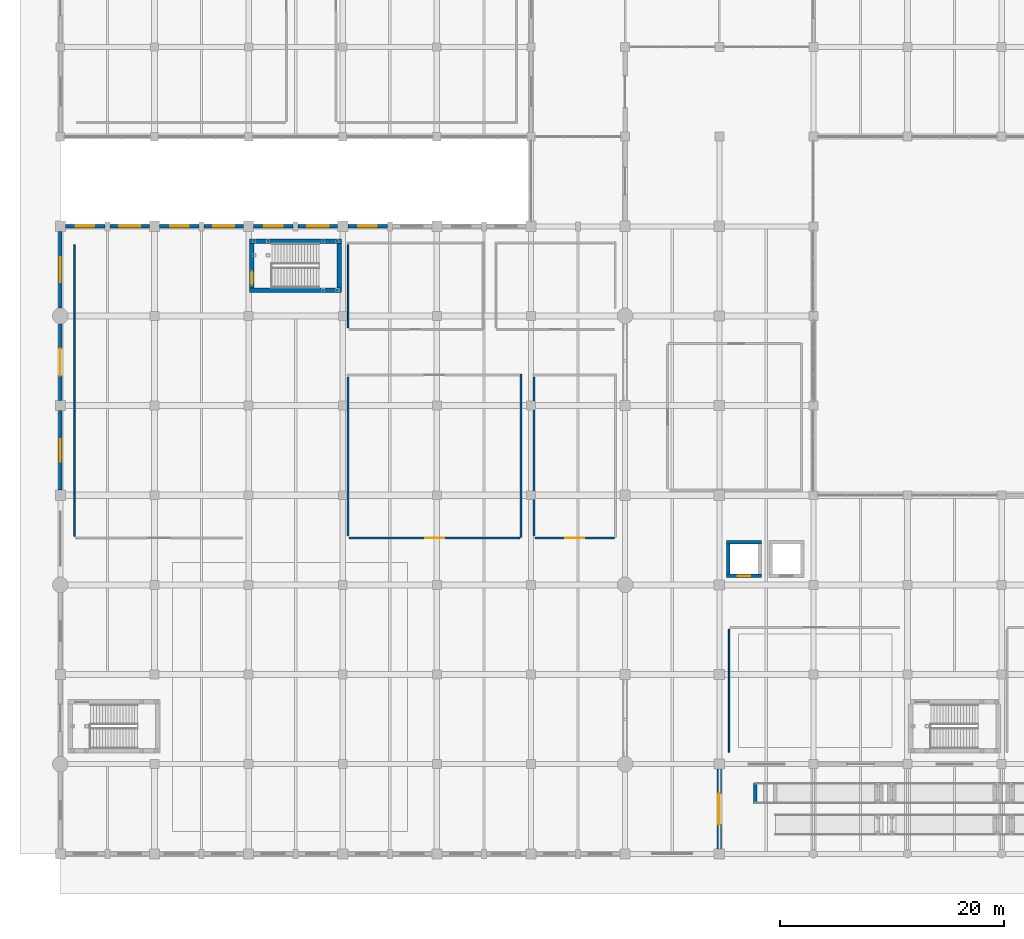
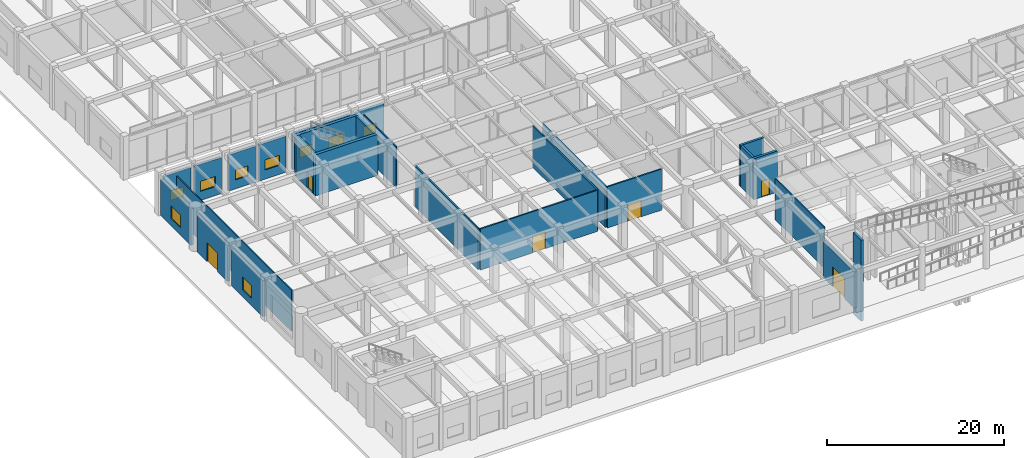
# One storey, part 50 of 76: 27 walls, 9 windows, 6 doors, 15 openings.
"""IFC4 building model written with IfcOpenShell, lengths in metres."""

from ifc_helpers import new_model, si_unit, direction, frame, frame_2d, origin, place, context, subcontext, project, spatial, rectangle, extrude, material, layer, layer_set, type_object, element, fill, save


model = new_model("IFC4")

# Units and contexts
model_context = context("Model", 3, precision=1e-05, world=origin(), true_north=direction((0.0, 1.0)))
body_context = subcontext(model_context, "Body", "Model", "MODEL_VIEW")
ifc_project = project(units=[si_unit("LENGTHUNIT", "METRE"), si_unit("AREAUNIT", "SQUARE_METRE"), si_unit("VOLUMEUNIT", "CUBIC_METRE"), si_unit("PLANEANGLEUNIT", "RADIAN"), si_unit("MASSUNIT", "GRAM", prefix="KILO")], contexts=[model_context])

# Site, building, storey
site_placement = place(None, origin())
site = spatial("IfcSite", under=ifc_project, at=site_placement, CompositionType="ELEMENT")
building_placement = place(site_placement, origin())
building = spatial("IfcBuilding", under=site, at=building_placement, Name="Naruveol Harbour Congress Hotel", CompositionType="ELEMENT")
storey_placement = place(building_placement, origin())
storey = spatial("IfcBuildingStorey", under=building, at=storey_placement, Name="L00", CompositionType="ELEMENT", Elevation=0.0)

# Wall, opening, window
ifc_material_1 = material(Name="Concrete C40/50", Category="concrete")
ifc_layer_1 = layer(ifc_material_1, 0.340087890625)
ifc_layer_set_1 = layer_set([ifc_layer_1], Name="Concrete C40/50")
wall_type_1 = type_object("IfcWallType", Name="ACOUSTIC CONGRESS ENVELOPE WALL 340", PredefinedType="SOLIDWALL", material=ifc_layer_set_1)
wall_1_placement = place(storey_placement, frame((0.0, 32.449951171875, 0.0), z_axis=(0.0, 0.0, 1.0), x_axis=(0.0, 1.0, 0.0)))
wall_1 = element("IfcWall", 1, at=wall_1_placement, inside=storey, type_object=wall_type_1, Name="Congress west quay facade EW-340", PredefinedType="SOLIDWALL", context=body_context, shape_type="SweptSolid", body=[
    extrude(rectangle(XDim=7.10009765625, YDim=0.340087890625, at=frame_2d((3.550048828125, 0.0))), origin(), (0.0, 0.0, 1.0), 5.0),
])
opening_1_placement = place(wall_1_placement, frame((2.550048828125, 0.0, 1.0)))
opening_1 = element("IfcOpeningElement", 2, at=opening_1_placement, cuts=wall_1, Name="Opening W-05", PredefinedType="OPENING", context=body_context, shape_type="SweptSolid", body=[
    extrude(rectangle(XDim=2.0, YDim=1.75, at=frame_2d((1.0, 0.875))), frame((0.0, 0.179931640625, 0.0), z_axis=(0.0, -1.0, 0.0), x_axis=(1.0, 0.0, 0.0)), (0.0, 0.0, 1.0), 0.360107421875),
])
ifc_material_2 = material(Name="Low-E Triple Glazing in Thermal Aluminium", Category="aluminium")
window_type_1 = type_object("IfcWindowType", Name="GARDEN SUITE WINDOW 2000X1750", PartitioningType="DOUBLE_PANEL_VERTICAL", PredefinedType="WINDOW", material=ifc_material_2)
window_1_placement = place(opening_1_placement, origin())
window_1 = element("IfcWindow", 3, at=window_1_placement, inside=storey, type_object=window_type_1, Name="Window W-05 #15", OverallHeight=1.75, OverallWidth=2.0, PartitioningType="DOUBLE_PANEL_VERTICAL", PredefinedType="WINDOW", context=body_context, shape_type="SweptSolid", body=[
    extrude(rectangle(XDim=2.0, YDim=1.75, at=frame_2d((1.0, 0.875))), frame((0.0, 0.030029296875, 0.0), z_axis=(0.0, -1.0, 0.0), x_axis=(1.0, 0.0, 0.0)), (0.0, 0.0, 1.0), 0.06005859375),
])
fill(opening_1, window_1)

# Wall, opening, door
wall_2_placement = place(storey_placement, frame((0.0, 40.449951171875, 0.0), z_axis=(0.0, 0.0, 1.0), x_axis=(0.0, 1.0, 0.0)))
wall_2 = element("IfcWall", 4, at=wall_2_placement, inside=storey, type_object=wall_type_1, Name="Congress west quay facade EW-340", PredefinedType="SOLIDWALL", context=body_context, shape_type="SweptSolid", body=[
    extrude(rectangle(XDim=6.85009765625, YDim=0.340087890625, at=frame_2d((3.425048828125, 0.0))), origin(), (0.0, 0.0, 1.0), 5.0),
])
opening_2_placement = place(wall_2_placement, frame((2.22509765625, 0.0, 0.0)))
opening_2 = element("IfcOpeningElement", 5, at=opening_2_placement, cuts=wall_2, Name="Opening E4", PredefinedType="OPENING", context=body_context, shape_type="SweptSolid", body=[
    extrude(rectangle(XDim=2.39990234375, YDim=2.60009765625, at=frame_2d((1.199951171875, 1.300048828125))), frame((0.0, 0.179931640625, 0.0), z_axis=(0.0, -1.0, 0.0), x_axis=(1.0, 0.0, 0.0)), (0.0, 0.0, 1.0), 0.360107421875),
])
ifc_material_3 = material(Name="Powder-Coated Steel & Insulated Glazing", Category="steel")
door_type_1 = type_object("IfcDoorType", Name="FINAL EXIT DOUBLE DOOR 2400X2600", OperationType="DOUBLE_DOOR_SINGLE_SWING", PredefinedType="DOOR", material=ifc_material_3)
door_1_placement = place(opening_2_placement, origin())
door_1 = element("IfcDoor", 6, at=door_1_placement, inside=storey, type_object=door_type_1, Name="Final Exit Door E4", OperationType="DOUBLE_DOOR_SINGLE_SWING", OverallHeight=2.60009765625, OverallWidth=2.39990234375, PredefinedType="DOOR", context=body_context, shape_type="SweptSolid", body=[
    extrude(rectangle(XDim=2.39990234375, YDim=2.60009765625, at=frame_2d((1.199951171875, 1.300048828125))), frame((0.0, 0.02490234375, 0.0), z_axis=(0.0, -1.0, 0.0), x_axis=(1.0, 0.0, 0.0)), (0.0, 0.0, 1.0), 0.050048828125),
])
fill(opening_2, door_1)

# Wall, opening, window
wall_3_placement = place(storey_placement, frame((0.0, 48.699951171875, 0.0), z_axis=(0.0, 0.0, 1.0), x_axis=(0.0, 1.0, 0.0)))
wall_3 = element("IfcWall", 7, at=wall_3_placement, inside=storey, type_object=wall_type_1, Name="Congress west quay facade EW-340", PredefinedType="SOLIDWALL", context=body_context, shape_type="SweptSolid", body=[
    extrude(rectangle(XDim=6.85009765625, YDim=0.340087890625, at=frame_2d((3.425048828125, 0.0))), origin(), (0.0, 0.0, 1.0), 5.0),
])
opening_3_placement = place(wall_3_placement, frame((2.324951171875, 0.0, 1.0)))
opening_3 = element("IfcOpeningElement", 8, at=opening_3_placement, cuts=wall_3, Name="Opening W-06", PredefinedType="OPENING", context=body_context, shape_type="SweptSolid", body=[
    extrude(rectangle(XDim=2.199951171875, YDim=1.75, at=frame_2d((1.10009765625, 0.875))), frame((0.0, 0.179931640625, 0.0), z_axis=(0.0, -1.0, 0.0), x_axis=(1.0, 0.0, 0.0)), (0.0, 0.0, 1.0), 0.360107421875),
])
ifc_material_4 = material(Name="Low-E Triple Glazing in Thermal Aluminium", Category="aluminium")
window_type_2 = type_object("IfcWindowType", Name="HARBOUR SUITE WINDOW 2200X1750", PartitioningType="DOUBLE_PANEL_VERTICAL", PredefinedType="WINDOW", material=ifc_material_4)
window_2_placement = place(opening_3_placement, origin())
window_2 = element("IfcWindow", 9, at=window_2_placement, inside=storey, type_object=window_type_2, Name="Window W-06 #16", OverallHeight=1.75, OverallWidth=2.199951171875, PartitioningType="DOUBLE_PANEL_VERTICAL", PredefinedType="WINDOW", context=body_context, shape_type="SweptSolid", body=[
    extrude(rectangle(XDim=2.199951171875, YDim=1.75, at=frame_2d((1.10009765625, 0.875))), frame((0.0, 0.030029296875, 0.0), z_axis=(0.0, -1.0, 0.0), x_axis=(1.0, 0.0, 0.0)), (0.0, 0.0, 1.0), 0.06005859375),
])
fill(opening_3, window_2)

wall_4_placement = place(storey_placement, frame((0.449951171875, 56.0, 0.0), z_axis=(0.0, 0.0, 1.0), x_axis=(1.0, 0.0, 0.0)))
wall_4 = element("IfcWall", 10, at=wall_4_placement, inside=storey, type_object=wall_type_1, Name="Congress north facade EW-340", PredefinedType="SOLIDWALL", context=body_context, shape_type="SweptSolid", body=[
    extrude(rectangle(XDim=3.525146484375, YDim=0.340087890625, at=frame_2d((1.7626953125, 0.0))), origin(), (0.0, 0.0, 1.0), 4.97998046875),
])
opening_4_placement = place(wall_4_placement, frame((0.93798828125, 0.0, 1.25)))
opening_4 = element("IfcOpeningElement", 11, at=opening_4_placement, cuts=wall_4, Name="Opening W-34", PredefinedType="OPENING", context=body_context, shape_type="SweptSolid", body=[
    extrude(rectangle(XDim=1.64990234375, YDim=1.35009765625, at=frame_2d((0.824951171875, 0.675048828125))), frame((0.0, 0.179931640625, 0.0), z_axis=(0.0, -1.0, 0.0), x_axis=(1.0, 0.0, 0.0)), (0.0, 0.0, 1.0), 0.360107421875),
])
ifc_material_5 = material(Name="Low-E Triple Glazing in Thermal Aluminium", Category="aluminium")
window_type_3 = type_object("IfcWindowType", Name="CONCOURSE NORTH BAY WINDOW 1650X1350", PartitioningType="SINGLE_PANEL", PredefinedType="WINDOW", material=ifc_material_5)
window_3_placement = place(opening_4_placement, origin())
window_3 = element("IfcWindow", 12, at=window_3_placement, inside=storey, type_object=window_type_3, Name="Window W-34 #17", OverallHeight=1.35009765625, OverallWidth=1.64990234375, PartitioningType="SINGLE_PANEL", PredefinedType="WINDOW", context=body_context, shape_type="SweptSolid", body=[
    extrude(rectangle(XDim=1.64990234375, YDim=1.35009765625, at=frame_2d((0.824951171875, 0.675048828125))), frame((0.0, 0.030029296875, 0.0), z_axis=(0.0, -1.0, 0.0), x_axis=(1.0, 0.0, 0.0)), (0.0, 0.0, 1.0), 0.06005859375),
])
fill(opening_4, window_3)

wall_5_placement = place(storey_placement, frame((4.425048828125, 56.0, 0.0), z_axis=(0.0, 0.0, 1.0), x_axis=(1.0, 0.0, 0.0)))
wall_5 = element("IfcWall", 13, at=wall_5_placement, inside=storey, type_object=wall_type_1, Name="Congress north facade EW-340", PredefinedType="SOLIDWALL", context=body_context, shape_type="SweptSolid", body=[
    extrude(rectangle(XDim=3.52490234375, YDim=0.340087890625, at=frame_2d((1.762451171875, 0.0))), origin(), (0.0, 0.0, 1.0), 4.97998046875),
])
opening_5_placement = place(wall_5_placement, frame((0.81298828125, 0.0, 1.25)))
opening_5 = element("IfcOpeningElement", 14, at=opening_5_placement, cuts=wall_5, Name="Opening W-20", PredefinedType="OPENING", context=body_context, shape_type="SweptSolid", body=[
    extrude(rectangle(XDim=1.89990234375, YDim=1.39990234375, at=frame_2d((0.949951171875, 0.699951171875))), frame((0.0, 0.179931640625, 0.0), z_axis=(0.0, -1.0, 0.0), x_axis=(1.0, 0.0, 0.0)), (0.0, 0.0, 1.0), 0.360107421875),
])
ifc_material_6 = material(Name="Low-E Triple Glazing in Thermal Aluminium", Category="aluminium")
window_type_4 = type_object("IfcWindowType", Name="PRESS BRIEFING WINDOW 1900X1400", PartitioningType="DOUBLE_PANEL_VERTICAL", PredefinedType="WINDOW", material=ifc_material_6)
window_4_placement = place(opening_5_placement, origin())
window_4 = element("IfcWindow", 15, at=window_4_placement, inside=storey, type_object=window_type_4, Name="Window W-20 #18", OverallHeight=1.39990234375, OverallWidth=1.89990234375, PartitioningType="DOUBLE_PANEL_VERTICAL", PredefinedType="WINDOW", context=body_context, shape_type="SweptSolid", body=[
    extrude(rectangle(XDim=1.89990234375, YDim=1.39990234375, at=frame_2d((0.949951171875, 0.699951171875))), frame((0.0, 0.030029296875, 0.0), z_axis=(0.0, -1.0, 0.0), x_axis=(1.0, 0.0, 0.0)), (0.0, 0.0, 1.0), 0.06005859375),
])
fill(opening_5, window_4)

wall_6_placement = place(storey_placement, frame((8.85009765625, 56.0, 0.0), z_axis=(0.0, 0.0, 1.0), x_axis=(1.0, 0.0, 0.0)))
wall_6 = element("IfcWall", 16, at=wall_6_placement, inside=storey, type_object=wall_type_1, Name="Congress north facade EW-340", PredefinedType="SOLIDWALL", context=body_context, shape_type="SweptSolid", body=[
    extrude(rectangle(XDim=3.52490234375, YDim=0.340087890625, at=frame_2d((1.762451171875, 0.0))), origin(), (0.0, 0.0, 1.0), 4.97998046875),
])
opening_6_placement = place(wall_6_placement, frame((0.93798828125, 0.0, 1.25)))
opening_6 = element("IfcOpeningElement", 17, at=opening_6_placement, cuts=wall_6, Name="Opening W-34", PredefinedType="OPENING", context=body_context, shape_type="SweptSolid", body=[
    extrude(rectangle(XDim=1.64990234375, YDim=1.35009765625, at=frame_2d((0.824951171875, 0.675048828125))), frame((0.0, 0.179931640625, 0.0), z_axis=(0.0, -1.0, 0.0), x_axis=(1.0, 0.0, 0.0)), (0.0, 0.0, 1.0), 0.360107421875),
])
window_5_placement = place(opening_6_placement, origin())
window_5 = element("IfcWindow", 18, at=window_5_placement, inside=storey, type_object=window_type_3, Name="Window W-34 #19", OverallHeight=1.35009765625, OverallWidth=1.64990234375, PartitioningType="SINGLE_PANEL", PredefinedType="WINDOW", context=body_context, shape_type="SweptSolid", body=[
    extrude(rectangle(XDim=1.64990234375, YDim=1.35009765625, at=frame_2d((0.824951171875, 0.675048828125))), frame((0.0, 0.030029296875, 0.0), z_axis=(0.0, -1.0, 0.0), x_axis=(1.0, 0.0, 0.0)), (0.0, 0.0, 1.0), 0.06005859375),
])
fill(opening_6, window_5)

wall_7_placement = place(storey_placement, frame((12.824951171875, 56.0, 0.0), z_axis=(0.0, 0.0, 1.0), x_axis=(1.0, 0.0, 0.0)))
wall_7 = element("IfcWall", 19, at=wall_7_placement, inside=storey, type_object=wall_type_1, Name="Congress north facade EW-340", PredefinedType="SOLIDWALL", context=body_context, shape_type="SweptSolid", body=[
    extrude(rectangle(XDim=3.525146484375, YDim=0.340087890625, at=frame_2d((1.7626953125, 0.0))), origin(), (0.0, 0.0, 1.0), 4.97998046875),
])
opening_7_placement = place(wall_7_placement, frame((0.81298828125, 0.0, 1.25)))
opening_7 = element("IfcOpeningElement", 20, at=opening_7_placement, cuts=wall_7, Name="Opening W-20", PredefinedType="OPENING", context=body_context, shape_type="SweptSolid", body=[
    extrude(rectangle(XDim=1.89990234375, YDim=1.39990234375, at=frame_2d((0.949951171875, 0.699951171875))), frame((0.0, 0.179931640625, 0.0), z_axis=(0.0, -1.0, 0.0), x_axis=(1.0, 0.0, 0.0)), (0.0, 0.0, 1.0), 0.360107421875),
])
window_6_placement = place(opening_7_placement, origin())
window_6 = element("IfcWindow", 21, at=window_6_placement, inside=storey, type_object=window_type_4, Name="Window W-20 #20", OverallHeight=1.39990234375, OverallWidth=1.89990234375, PartitioningType="DOUBLE_PANEL_VERTICAL", PredefinedType="WINDOW", context=body_context, shape_type="SweptSolid", body=[
    extrude(rectangle(XDim=1.89990234375, YDim=1.39990234375, at=frame_2d((0.949951171875, 0.699951171875))), frame((0.0, 0.030029296875, 0.0), z_axis=(0.0, -1.0, 0.0), x_axis=(1.0, 0.0, 0.0)), (0.0, 0.0, 1.0), 0.06005859375),
])
fill(opening_7, window_6)

wall_8_placement = place(storey_placement, frame((17.25, 56.0, 0.0), z_axis=(0.0, 0.0, 1.0), x_axis=(1.0, 0.0, 0.0)))
wall_8 = element("IfcWall", 22, at=wall_8_placement, inside=storey, type_object=wall_type_1, Name="Congress north facade EW-340", PredefinedType="SOLIDWALL", context=body_context, shape_type="SweptSolid", body=[
    extrude(rectangle(XDim=3.52490234375, YDim=0.340087890625, at=frame_2d((1.762451171875, 0.0))), origin(), (0.0, 0.0, 1.0), 4.97998046875),
])
opening_8_placement = place(wall_8_placement, frame((0.93701171875, 0.0, 1.25)))
opening_8 = element("IfcOpeningElement", 23, at=opening_8_placement, cuts=wall_8, Name="Opening W-34", PredefinedType="OPENING", context=body_context, shape_type="SweptSolid", body=[
    extrude(rectangle(XDim=1.64990234375, YDim=1.35009765625, at=frame_2d((0.824951171875, 0.675048828125))), frame((0.0, 0.179931640625, 0.0), z_axis=(0.0, -1.0, 0.0), x_axis=(1.0, 0.0, 0.0)), (0.0, 0.0, 1.0), 0.360107421875),
])
window_7_placement = place(opening_8_placement, origin())
window_7 = element("IfcWindow", 24, at=window_7_placement, inside=storey, type_object=window_type_3, Name="Window W-34 #21", OverallHeight=1.35009765625, OverallWidth=1.64990234375, PartitioningType="SINGLE_PANEL", PredefinedType="WINDOW", context=body_context, shape_type="SweptSolid", body=[
    extrude(rectangle(XDim=1.64990234375, YDim=1.35009765625, at=frame_2d((0.824951171875, 0.675048828125))), frame((0.0, 0.030029296875, 0.0), z_axis=(0.0, -1.0, 0.0), x_axis=(1.0, 0.0, 0.0)), (0.0, 0.0, 1.0), 0.06005859375),
])
fill(opening_8, window_7)

wall_9_placement = place(storey_placement, frame((21.22509765625, 56.0, 0.0), z_axis=(0.0, 0.0, 1.0), x_axis=(1.0, 0.0, 0.0)))
wall_9 = element("IfcWall", 25, at=wall_9_placement, inside=storey, type_object=wall_type_1, Name="Congress north facade EW-340", PredefinedType="SOLIDWALL", context=body_context, shape_type="SweptSolid", body=[
    extrude(rectangle(XDim=3.52490234375, YDim=0.340087890625, at=frame_2d((1.762451171875, 0.0))), origin(), (0.0, 0.0, 1.0), 4.97998046875),
])
opening_9_placement = place(wall_9_placement, frame((0.81201171875, 0.0, 1.25)))
opening_9 = element("IfcOpeningElement", 26, at=opening_9_placement, cuts=wall_9, Name="Opening W-20", PredefinedType="OPENING", context=body_context, shape_type="SweptSolid", body=[
    extrude(rectangle(XDim=1.89990234375, YDim=1.39990234375, at=frame_2d((0.949951171875, 0.699951171875))), frame((0.0, 0.179931640625, 0.0), z_axis=(0.0, -1.0, 0.0), x_axis=(1.0, 0.0, 0.0)), (0.0, 0.0, 1.0), 0.360107421875),
])
window_8_placement = place(opening_9_placement, origin())
window_8 = element("IfcWindow", 27, at=window_8_placement, inside=storey, type_object=window_type_4, Name="Window W-20 #22", OverallHeight=1.39990234375, OverallWidth=1.89990234375, PartitioningType="DOUBLE_PANEL_VERTICAL", PredefinedType="WINDOW", context=body_context, shape_type="SweptSolid", body=[
    extrude(rectangle(XDim=1.89990234375, YDim=1.39990234375, at=frame_2d((0.949951171875, 0.699951171875))), frame((0.0, 0.030029296875, 0.0), z_axis=(0.0, -1.0, 0.0), x_axis=(1.0, 0.0, 0.0)), (0.0, 0.0, 1.0), 0.06005859375),
])
fill(opening_9, window_8)

wall_10_placement = place(storey_placement, frame((25.64990234375, 56.0, 0.0), z_axis=(0.0, 0.0, 1.0), x_axis=(1.0, 0.0, 0.0)))
wall_10 = element("IfcWall", 28, at=wall_10_placement, inside=storey, type_object=wall_type_1, Name="Congress north facade EW-340", PredefinedType="SOLIDWALL", context=body_context, shape_type="SweptSolid", body=[
    extrude(rectangle(XDim=3.525146484375, YDim=0.340087890625, at=frame_2d((1.7626953125, 0.0))), origin(), (0.0, 0.0, 1.0), 4.97998046875),
])
opening_10_placement = place(wall_10_placement, frame((0.93798828125, 0.0, 1.25)))
opening_10 = element("IfcOpeningElement", 29, at=opening_10_placement, cuts=wall_10, Name="Opening W-34", PredefinedType="OPENING", context=body_context, shape_type="SweptSolid", body=[
    extrude(rectangle(XDim=1.64990234375, YDim=1.35009765625, at=frame_2d((0.824951171875, 0.675048828125))), frame((0.0, 0.179931640625, 0.0), z_axis=(0.0, -1.0, 0.0), x_axis=(1.0, 0.0, 0.0)), (0.0, 0.0, 1.0), 0.360107421875),
])
window_9_placement = place(opening_10_placement, origin())
window_9 = element("IfcWindow", 30, at=window_9_placement, inside=storey, type_object=window_type_3, Name="Window W-34 #23", OverallHeight=1.35009765625, OverallWidth=1.64990234375, PartitioningType="SINGLE_PANEL", PredefinedType="WINDOW", context=body_context, shape_type="SweptSolid", body=[
    extrude(rectangle(XDim=1.64990234375, YDim=1.35009765625, at=frame_2d((0.824951171875, 0.675048828125))), frame((0.0, 0.030029296875, 0.0), z_axis=(0.0, -1.0, 0.0), x_axis=(1.0, 0.0, 0.0)), (0.0, 0.0, 1.0), 0.06005859375),
])
fill(opening_10, window_9)

# Wall, opening, door
ifc_material_7 = material(Name="Autoclaved Aerated Concrete Block", Category="concrete")
ifc_layer_2 = layer(ifc_material_7, 0.179931640625)
ifc_layer_set_2 = layer_set([ifc_layer_2], Name="Autoclaved Aerated Concrete Block")
wall_type_2 = type_object("IfcWallType", Name="ACOUSTIC HALL PARTITION WALL 180 EI60", PredefinedType="PARTITIONING", material=ifc_layer_set_2)
wall_11_placement = place(storey_placement, frame((25.760009765625, 28.199951171875, 0.0), z_axis=(0.0, 0.0, 1.0), x_axis=(1.0, 0.0, 0.0)))
wall_11 = element("IfcWall", 31, at=wall_11_placement, inside=storey, type_object=wall_type_2, Name="Simultaneous Interpreting Preparation Suite south entry wall PW-180", PredefinedType="PARTITIONING", context=body_context, shape_type="SweptSolid", body=[
    extrude(rectangle(XDim=15.280029296875, YDim=0.179931640625, at=frame_2d((7.64013671875, 0.0))), origin(), (0.0, 0.0, 1.0), 5.675048828125),
])
opening_11_placement = place(wall_11_placement, frame((6.7900390625, 0.0, 0.0)))
opening_11 = element("IfcOpeningElement", 32, at=opening_11_placement, cuts=wall_11, Name="Opening ID-MT-15", PredefinedType="OPENING", context=body_context, shape_type="SweptSolid", body=[
    extrude(rectangle(XDim=1.699951171875, YDim=2.300048828125, at=frame_2d((0.85009765625, 1.14990234375))), frame((0.0, 0.099853515625, 0.0), z_axis=(0.0, -1.0, 0.0), x_axis=(1.0, 0.0, 0.0)), (0.0, 0.0, 1.0), 0.199951171875),
])
ifc_material_8 = material(Name="Timber & Steel Acoustic Leaf", Category="steel")
door_type_2 = type_object("IfcDoorType", Name="MEETING SALON DOUBLE DOOR 1700X2300", OperationType="DOUBLE_DOOR_SINGLE_SWING", PredefinedType="DOOR", material=ifc_material_8)
door_2_placement = place(opening_11_placement, origin())
door_2 = element("IfcDoor", 33, at=door_2_placement, inside=storey, type_object=door_type_2, Name="Simultaneous Interpreting Preparation Suite Entrance Door", OperationType="DOUBLE_DOOR_SINGLE_SWING", OverallHeight=2.300048828125, OverallWidth=1.699951171875, PredefinedType="DOOR", context=body_context, shape_type="SweptSolid", body=[
    extrude(rectangle(XDim=1.699951171875, YDim=2.300048828125, at=frame_2d((0.85009765625, 1.14990234375))), frame((0.0, 0.02490234375, 0.0), z_axis=(0.0, -1.0, 0.0), x_axis=(1.0, 0.0, 0.0)), (0.0, 0.0, 1.0), 0.050048828125),
])
fill(opening_11, door_2)

# Wall
wall_12_placement = place(storey_placement, frame((25.679931640625, 28.340087890625, 0.0), z_axis=(0.0, 0.0, 1.0), x_axis=(0.0, 1.0, 0.0)))
element("IfcWall", 34, at=wall_12_placement, inside=storey, type_object=wall_type_2, Name="Simultaneous Interpreting Preparation Suite west partition PW-180", PredefinedType="PARTITIONING", context=body_context, shape_type="SweptSolid", body=[
    extrude(rectangle(XDim=14.2099609375, YDim=0.179931640625, at=frame_2d((7.10498046875, 0.0))), origin(), (0.0, 0.0, 1.0), 5.675048828125),
])

# Wall, opening, door
wall_13_placement = place(storey_placement, frame((42.360107421875, 28.199951171875, 0.0), z_axis=(0.0, 0.0, 1.0), x_axis=(1.0, 0.0, 0.0)))
wall_13 = element("IfcWall", 35, at=wall_13_placement, inside=storey, type_object=wall_type_2, Name="Congress Cloakroom and Baggage Check south entry wall PW-180", PredefinedType="PARTITIONING", context=body_context, shape_type="SweptSolid", body=[
    extrude(rectangle(XDim=7.079833984375, YDim=0.179931640625, at=frame_2d((3.5400390625, 0.0))), origin(), (0.0, 0.0, 1.0), 5.675048828125),
])
opening_12_placement = place(wall_13_placement, frame((2.68994140625, 0.0, 0.0)))
opening_12 = element("IfcOpeningElement", 36, at=opening_12_placement, cuts=wall_13, Name="Opening ID-MT-16", PredefinedType="OPENING", context=body_context, shape_type="SweptSolid", body=[
    extrude(rectangle(XDim=1.699951171875, YDim=2.300048828125, at=frame_2d((0.85009765625, 1.14990234375))), frame((0.0, 0.099853515625, 0.0), z_axis=(0.0, -1.0, 0.0), x_axis=(1.0, 0.0, 0.0)), (0.0, 0.0, 1.0), 0.199951171875),
])
door_3_placement = place(opening_12_placement, origin())
door_3 = element("IfcDoor", 37, at=door_3_placement, inside=storey, type_object=door_type_2, Name="Congress Cloakroom and Baggage Check Entrance Door", OperationType="DOUBLE_DOOR_SINGLE_SWING", OverallHeight=2.300048828125, OverallWidth=1.699951171875, PredefinedType="DOOR", context=body_context, shape_type="SweptSolid", body=[
    extrude(rectangle(XDim=1.699951171875, YDim=2.300048828125, at=frame_2d((0.85009765625, 1.14990234375))), frame((0.0, 0.02490234375, 0.0), z_axis=(0.0, -1.0, 0.0), x_axis=(1.0, 0.0, 0.0)), (0.0, 0.0, 1.0), 0.050048828125),
])
fill(opening_12, door_3)

# Walls
wall_14_placement = place(storey_placement, frame((42.280029296875, 28.340087890625, 0.0), z_axis=(0.0, 0.0, 1.0), x_axis=(0.0, 1.0, 0.0)))
element("IfcWall", 38, at=wall_14_placement, inside=storey, type_object=wall_type_2, Name="Congress Cloakroom and Baggage Check west partition PW-180", PredefinedType="PARTITIONING", context=body_context, shape_type="SweptSolid", body=[
    extrude(rectangle(XDim=14.2099609375, YDim=0.179931640625, at=frame_2d((7.10498046875, 0.0))), origin(), (0.0, 0.0, 1.0), 5.675048828125),
])
wall_15_placement = place(storey_placement, frame((41.1201171875, 28.23193359375, 0.0), z_axis=(0.0, 0.0, 1.0), x_axis=(0.0, 1.0, 0.0)))
element("IfcWall", 39, at=wall_15_placement, inside=storey, type_object=wall_type_2, Name="Simultaneous Interpreting Preparation Suite east enclosure partition PW-180", PredefinedType="PARTITIONING", context=body_context, shape_type="SweptSolid", body=[
    extrude(rectangle(XDim=14.568115234375, YDim=0.179931640625, at=frame_2d((7.2841796875, 0.0))), origin(), (0.0, 0.0, 1.0), 5.675048828125),
])
ifc_material_9 = material(Name="Acoustic Double Stud Gypsum", Category="gypsum")
ifc_layer_3 = layer(ifc_material_9, 0.139892578125)
ifc_layer_set_3 = layer_set([ifc_layer_3], Name="Acoustic Double Stud Gypsum")
wall_type_3 = type_object("IfcWallType", Name="ACOUSTIC MEETING PARTITION WALL 140", PredefinedType="PARTITIONING", material=ifc_layer_set_3)
wall_16_placement = place(storey_placement, frame((1.280029296875, 28.340087890625, 0.0), z_axis=(0.0, 0.0, 1.0), x_axis=(0.0, 1.0, 0.0)))
element("IfcWall", 40, at=wall_16_placement, inside=storey, type_object=wall_type_3, Name="VIP Delegate Lounge west partition PW-140", PredefinedType="PARTITIONING", context=body_context, shape_type="SweptSolid", body=[
    extrude(rectangle(XDim=26.010009765625, YDim=0.139892578125, at=frame_2d((13.0048828125, 0.0))), origin(), (0.0, 0.0, 1.0), 5.675048828125),
])
wall_17_placement = place(storey_placement, frame((59.679931640625, 9.050048828125, 0.0), z_axis=(0.0, 0.0, 1.0), x_axis=(0.0, 1.0, 0.0)))
element("IfcWall", 41, at=wall_17_placement, inside=storey, type_object=wall_type_3, Name="Harbourfront Brasserie Restaurant west partition PW-140", PredefinedType="PARTITIONING", context=body_context, shape_type="SweptSolid", body=[
    extrude(rectangle(XDim=11.010009765625, YDim=0.139892578125, at=frame_2d((5.5048828125, 0.0))), origin(), (0.0, 0.0, 1.0), 5.675048828125),
])

# Wall, opening, door
ifc_material_10 = material(Name="Concrete C40/50", Category="concrete")
ifc_layer_4 = layer(ifc_material_10, 0.3798828125)
ifc_layer_set_4 = layer_set([ifc_layer_4], Name="Concrete C40/50")
wall_type_4 = type_object("IfcWallType", Name="INSULATED GRANITE FACADE WALL 380", PredefinedType="SOLIDWALL", material=ifc_layer_set_4)
wall_18_placement = place(storey_placement, frame((58.800048828125, 7.550048828125, 0.0), z_axis=(0.0, 0.0, 1.0), x_axis=(0.0, -1.0, 0.0)))
wall_18 = element("IfcWall", 42, at=wall_18_placement, inside=storey, type_object=wall_type_4, Name="Congress foyer entrance portal EW-380", PredefinedType="SOLIDWALL", context=body_context, shape_type="SweptSolid", body=[
    extrude(rectangle(XDim=7.10009765625, YDim=0.3798828125, at=frame_2d((3.550048828125, 0.0))), origin(), (0.0, 0.0, 1.0), 5.0),
])
opening_13_placement = place(wall_18_placement, frame((2.14990234375, 0.0, 0.0)))
opening_13 = element("IfcOpeningElement", 43, at=opening_13_placement, cuts=wall_18, Name="Opening ED-C1", PredefinedType="OPENING", context=body_context, shape_type="SweptSolid", body=[
    extrude(rectangle(XDim=2.800048828125, YDim=2.800048828125, at=frame_2d((1.39990234375, 1.39990234375))), frame((0.0, 0.199951171875, 0.0), z_axis=(0.0, -1.0, 0.0), x_axis=(1.0, 0.0, 0.0)), (0.0, 0.0, 1.0), 0.39990234375),
])
ifc_material_11 = material(Name="Powder-Coated Steel & Insulated Glazing", Category="steel")
door_type_3 = type_object("IfcDoorType", Name="MAIN ARRIVAL GLAZED ENTRANCE 2800X2800", OperationType="DOUBLE_DOOR_SINGLE_SWING", PredefinedType="DOOR", material=ifc_material_11)
door_4_placement = place(opening_13_placement, origin())
door_4 = element("IfcDoor", 44, at=door_4_placement, inside=storey, type_object=door_type_3, Name="Congress Concourse Entrance Door ED-C1", OperationType="DOUBLE_DOOR_SINGLE_SWING", OverallHeight=2.800048828125, OverallWidth=2.800048828125, PredefinedType="DOOR", context=body_context, shape_type="SweptSolid", body=[
    extrude(rectangle(XDim=2.800048828125, YDim=2.800048828125, at=frame_2d((1.39990234375, 1.39990234375))), frame((0.0, 0.02490234375, 0.0), z_axis=(0.0, -1.0, 0.0), x_axis=(1.0, 0.0, 0.0)), (0.0, 0.0, 1.0), 0.050048828125),
])
fill(opening_13, door_4)

# Walls
ifc_material_12 = material(Name="Concrete C50/60", Category="concrete")
ifc_layer_5 = layer(ifc_material_12, 0.39990234375)
ifc_layer_set_5 = layer_set([ifc_layer_5], Name="Concrete C50/60")
wall_type_5 = type_object("IfcWallType", Name="RC CORE SHEAR WALL 400 EI120", PredefinedType="SHEAR", material=ifc_layer_set_5)
wall_19_placement = place(storey_placement, frame((16.89990234375, 50.300048828125, 0.0), z_axis=(0.0, 0.0, 1.0), x_axis=(1.0, 0.0, 0.0)))
element("IfcWall", 45, at=wall_19_placement, inside=storey, type_object=wall_type_5, Name="Stair ST6 south core wall CW-400", PredefinedType="SHEAR", context=body_context, shape_type="SweptSolid", body=[
    extrude(rectangle(XDim=8.2001953125, YDim=0.39990234375, at=frame_2d((4.10009765625, 0.0))), origin(), (0.0, 0.0, 1.0), 5.675048828125),
])
wall_20_placement = place(storey_placement, frame((24.89990234375, 50.5048828125, 0.0), z_axis=(0.0, 0.0, 1.0), x_axis=(0.0, 1.0, 0.0)))
element("IfcWall", 46, at=wall_20_placement, inside=storey, type_object=wall_type_5, Name="Stair ST6 east core wall CW-400", PredefinedType="SHEAR", context=body_context, shape_type="SweptSolid", body=[
    extrude(rectangle(XDim=3.9501953125, YDim=0.39990234375, at=frame_2d((1.97509765625, 0.0))), origin(), (0.0, 0.0, 1.0), 5.675048828125),
])
wall_21_placement = place(storey_placement, frame((16.89990234375, 54.659912109375, 0.0), z_axis=(0.0, 0.0, 1.0), x_axis=(1.0, 0.0, 0.0)))
element("IfcWall", 47, at=wall_21_placement, inside=storey, type_object=wall_type_5, Name="Stair ST6 north core wall CW-400", PredefinedType="SHEAR", context=body_context, shape_type="SweptSolid", body=[
    extrude(rectangle(XDim=8.2001953125, YDim=0.39990234375, at=frame_2d((4.10009765625, 0.0))), origin(), (0.0, 0.0, 1.0), 5.675048828125),
])

# Wall, opening, door
wall_22_placement = place(storey_placement, frame((17.10009765625, 50.5048828125, 0.0), z_axis=(0.0, 0.0, 1.0), x_axis=(0.0, 1.0, 0.0)))
wall_22 = element("IfcWall", 48, at=wall_22_placement, inside=storey, type_object=wall_type_5, Name="Stair ST6 west core wall CW-400", PredefinedType="SHEAR", context=body_context, shape_type="SweptSolid", body=[
    extrude(rectangle(XDim=3.9501953125, YDim=0.39990234375, at=frame_2d((1.97509765625, 0.0))), origin(), (0.0, 0.0, 1.0), 5.675048828125),
])
opening_14_placement = place(wall_22_placement, frame((0.280029296875, 0.0, 0.0)))
opening_14 = element("IfcOpeningElement", 49, at=opening_14_placement, cuts=wall_22, Name="Opening FD-ST6-L00", PredefinedType="OPENING", context=body_context, shape_type="SweptSolid", body=[
    extrude(rectangle(XDim=1.159912109375, YDim=2.199951171875, at=frame_2d((0.580078125, 1.10009765625))), frame((0.0, 0.2099609375, 0.0), z_axis=(0.0, -1.0, 0.0), x_axis=(1.0, 0.0, 0.0)), (0.0, 0.0, 1.0), 0.419921875),
])
ifc_material_13 = material(Name="Timber & Steel Acoustic Leaf", Category="steel")
door_type_4 = type_object("IfcDoorType", Name="SPECIAL ESCAPE STAIR FIRE DOOR 1160X2200", OperationType="NOTDEFINED", PredefinedType="DOOR", material=ifc_material_13)
door_5_placement = place(opening_14_placement, origin())
door_5 = element("IfcDoor", 50, at=door_5_placement, inside=storey, type_object=door_type_4, Name="Enclosed Exit Stair Door ST6 L00", OperationType="SINGLE_SWING_LEFT", OverallHeight=2.199951171875, OverallWidth=1.159912109375, PredefinedType="DOOR", context=body_context, shape_type="SweptSolid", body=[
    extrude(rectangle(XDim=1.159912109375, YDim=2.199951171875, at=frame_2d((0.580078125, 1.10009765625))), frame((0.0, 0.02490234375, 0.0), z_axis=(0.0, -1.0, 0.0), x_axis=(1.0, 0.0, 0.0)), (0.0, 0.0, 1.0), 0.050048828125),
])
fill(opening_14, door_5)

# Wall
ifc_material_14 = material(Name="Concrete C40/50", Category="concrete")
ifc_layer_6 = layer(ifc_material_14, 0.320068359375)
ifc_layer_set_6 = layer_set([ifc_layer_6], Name="Concrete C40/50")
wall_type_6 = type_object("IfcWallType", Name="RC RAMP SUPPORT WALL 320", PredefinedType="SHEAR", material=ifc_layer_set_6)
wall_23_placement = place(storey_placement, frame((62.0, 4.5, -5.39990234375), z_axis=(0.0, 0.0, 1.0), x_axis=(0.0, 1.0, 0.0)))
element("IfcWall", 51, at=wall_23_placement, inside=storey, type_object=wall_type_6, Name="Promenade ramp bearing pier #31", PredefinedType="SHEAR", context=body_context, shape_type="SweptSolid", body=[
    extrude(rectangle(XDim=1.800048828125, YDim=0.320068359375, at=frame_2d((0.89990234375, 0.0))), origin(), (0.0, 0.0, 1.0), 11.199951171875),
])

# Wall, opening, door
ifc_material_15 = material(Name="Concrete C50/60", Category="concrete")
ifc_layer_7 = layer(ifc_material_15, 0.300048828125)
ifc_layer_set_7 = layer_set([ifc_layer_7], Name="Concrete C50/60")
wall_type_7 = type_object("IfcWallType", Name="RC STAIR AND HOISTWAY SHEAR WALL 300 EI120", PredefinedType="SHEAR", material=ifc_layer_set_7)
wall_24_placement = place(storey_placement, frame((59.449951171875, 24.800048828125, 0.0), z_axis=(0.0, 0.0, 1.0), x_axis=(1.0, 0.0, 0.0)))
wall_24 = element("IfcWall", 52, at=wall_24_placement, inside=storey, type_object=wall_type_7, Name="Hoistway south shear wall CL1 SW-300", PredefinedType="SHEAR", context=body_context, shape_type="SweptSolid", body=[
    extrude(rectangle(XDim=3.10009765625, YDim=0.300048828125, at=frame_2d((1.550048828125, 0.0))), origin(), (0.0, 0.0, 1.0), 5.675048828125),
])
opening_15_placement = place(wall_24_placement, frame((1.0, 0.0, 0.0)))
opening_15 = element("IfcOpeningElement", 53, at=opening_15_placement, cuts=wall_24, Name="Opening LD-CL1-L00", PredefinedType="OPENING", context=body_context, shape_type="SweptSolid", body=[
    extrude(rectangle(XDim=1.10009765625, YDim=2.199951171875, at=frame_2d((0.550048828125, 1.10009765625))), frame((0.0, 0.159912109375, 0.0), z_axis=(0.0, -1.0, 0.0), x_axis=(1.0, 0.0, 0.0)), (0.0, 0.0, 1.0), 0.320068359375),
])
ifc_material_16 = material(Name="Stainless Steel Lift Door", Category="steel")
door_type_5 = type_object("IfcDoorType", Name="PASSENGER LIFT LANDING DOOR 1100X2200", OperationType="DOUBLE_DOOR_SLIDING", PredefinedType="DOOR", material=ifc_material_16)
door_6_placement = place(opening_15_placement, origin())
door_6 = element("IfcDoor", 54, at=door_6_placement, inside=storey, type_object=door_type_5, Name="Elevator Landing Door CL1 L00", OperationType="DOUBLE_DOOR_SLIDING", OverallHeight=2.199951171875, OverallWidth=1.10009765625, PredefinedType="DOOR", context=body_context, shape_type="SweptSolid", body=[
    extrude(rectangle(XDim=1.10009765625, YDim=2.199951171875, at=frame_2d((0.550048828125, 1.10009765625))), frame((0.0, 0.02490234375, 0.0), z_axis=(0.0, -1.0, 0.0), x_axis=(1.0, 0.0, 0.0)), (0.0, 0.0, 1.0), 0.050048828125),
])
fill(opening_15, door_6)

# Walls
wall_25_placement = place(storey_placement, frame((62.550048828125, 27.800048828125, 0.0), z_axis=(0.0, 0.0, 1.0), x_axis=(-1.0, 0.0, 0.0)))
element("IfcWall", 55, at=wall_25_placement, inside=storey, type_object=wall_type_7, Name="Hoistway north shear wall CL1 SW-300", PredefinedType="SHEAR", context=body_context, shape_type="SweptSolid", body=[
    extrude(rectangle(XDim=3.10009765625, YDim=0.300048828125, at=frame_2d((1.550048828125, 0.0))), origin(), (0.0, 0.0, 1.0), 5.675048828125),
])
wall_26_placement = place(storey_placement, frame((59.60009765625, 27.64501953125, 0.0), z_axis=(0.0, 0.0, 1.0), x_axis=(0.0, -1.0, 0.0)))
element("IfcWall", 56, at=wall_26_placement, inside=storey, type_object=wall_type_7, Name="Hoistway west shear wall CL1 SW-300", PredefinedType="SHEAR", context=body_context, shape_type="SweptSolid", body=[
    extrude(rectangle(XDim=2.68994140625, YDim=0.300048828125, at=frame_2d((1.344970703125, 0.0))), origin(), (0.0, 0.0, 1.0), 5.675048828125),
])
ifc_material_17 = material(Name="Acoustic Double Stud Gypsum", Category="gypsum")
ifc_layer_8 = layer(ifc_material_17, 0.125)
ifc_layer_set_8 = layer_set([ifc_layer_8], Name="Acoustic Double Stud Gypsum")
wall_type_8 = type_object("IfcWallType", Name="SERVICE CHASE PARTITION WALL 125", PredefinedType="PARTITIONING", material=ifc_layer_set_8)
wall_27_placement = place(storey_placement, frame((25.679931640625, 46.93994140625, 0.0), z_axis=(0.0, 0.0, 1.0), x_axis=(0.0, 1.0, 0.0)))
element("IfcWall", 57, at=wall_27_placement, inside=storey, type_object=wall_type_8, Name="Public Restrooms west partition PW-125", PredefinedType="PARTITIONING", context=body_context, shape_type="SweptSolid", body=[
    extrude(rectangle(XDim=7.41015625, YDim=0.125, at=frame_2d((3.705078125, 0.0))), origin(), (0.0, 0.0, 1.0), 5.675048828125),
])

save(model, "model.ifc")
